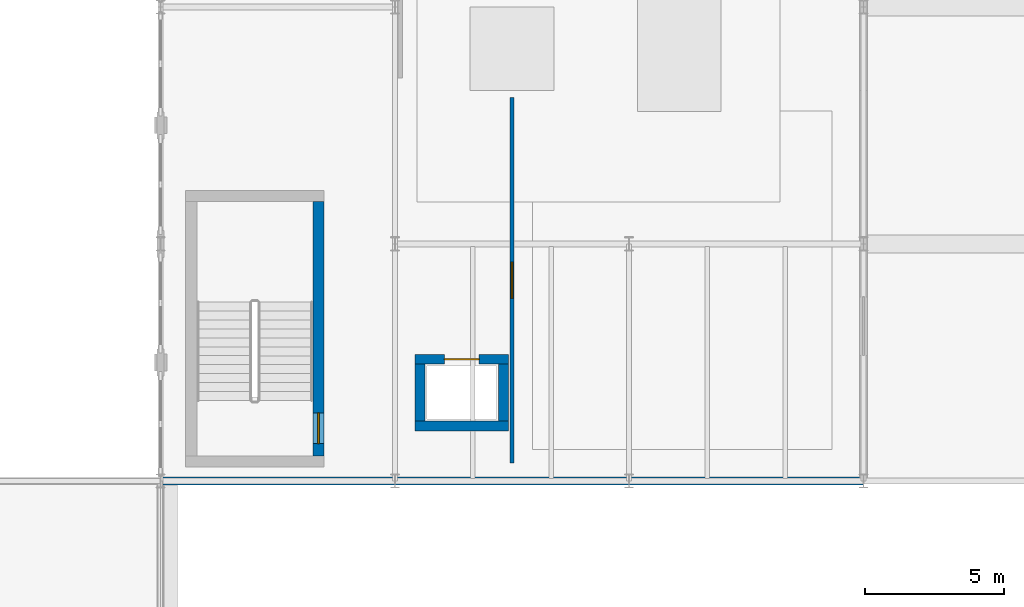
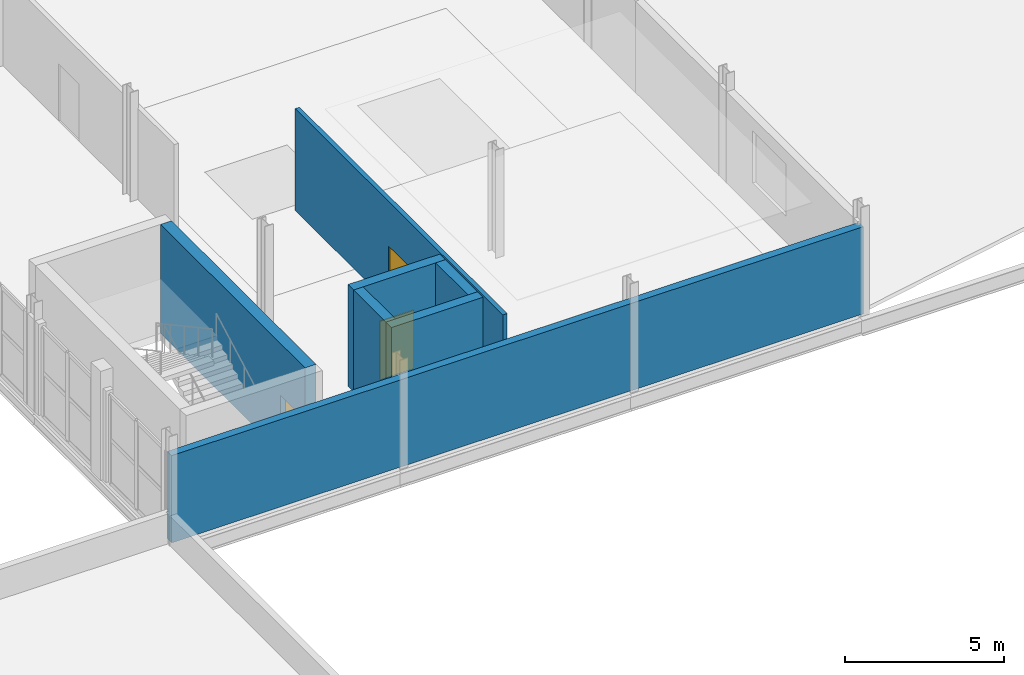
# One storey, part 40 of 58: 7 walls, 3 doors, 3 openings.
"""IFC4 building model written with IfcOpenShell, lengths in metres."""

from ifc_helpers import new_model, si_unit, direction, frame, frame_2d, origin, place, context, subcontext, project, spatial, rectangle, extrude, material, layer, layer_set, type_object, element, fill, save


model = new_model("IFC4")

# Units and contexts
model_context = context("Model", 3, precision=1e-05, world=origin(), true_north=direction((0.0, 1.0)))
body_context = subcontext(model_context, "Body", "Model", "MODEL_VIEW")
ifc_project = project(units=[si_unit("LENGTHUNIT", "METRE"), si_unit("AREAUNIT", "SQUARE_METRE"), si_unit("VOLUMEUNIT", "CUBIC_METRE"), si_unit("PLANEANGLEUNIT", "RADIAN"), si_unit("MASSUNIT", "GRAM", prefix="KILO")], contexts=[model_context])

# Site, building, storey
site_placement = place(None, origin())
site = spatial("IfcSite", under=ifc_project, at=site_placement, CompositionType="ELEMENT")
building_placement = place(site_placement, origin())
building = spatial("IfcBuilding", under=site, at=building_placement, Name="Sefraquen Railside Congress Hotel", CompositionType="ELEMENT")
storey_placement = place(building_placement, frame((0.0, 0.0, 16.199951171875)))
storey = spatial("IfcBuildingStorey", under=building, at=storey_placement, Name="L03", CompositionType="ELEMENT", Elevation=16.199951171875)

# Wall, opening, door
ifc_material_1 = material(Name="Concrete C50/60", Category="concrete")
ifc_layer_1 = layer(ifc_material_1, 0.35009765625)
ifc_layer_set_1 = layer_set([ifc_layer_1], Name="Concrete C50/60")
wall_type_1 = type_object("IfcWallType", Name="TW-CW-350", PredefinedType="SHEAR", material=ifc_layer_set_1)
wall_1_placement = place(storey_placement, frame((112.330078125, 58.364990234375, 0.0), z_axis=(0.0, 0.0, 1.0), x_axis=(1.0, 0.0, 0.0)))
wall_1 = element("IfcWall", 1, at=wall_1_placement, inside=storey, type_object=wall_type_1, Name="Lift SL-01 shaft wall N L03", PredefinedType="SHEAR", context=body_context, shape_type="SweptSolid", body=[
    extrude(rectangle(XDim=3.33984375, YDim=0.35009765625, at=frame_2d((1.669921875, 0.0))), origin(), (0.0, 0.0, 1.0), 3.920166015625),
])
opening_1_placement = place(wall_1_placement, frame((1.044921875, 0.0, 0.0)))
opening_1 = element("IfcOpeningElement", 2, at=opening_1_placement, cuts=wall_1, Name="Opening LD-02", PredefinedType="OPENING", context=body_context, shape_type="SweptSolid", body=[
    extrude(rectangle(XDim=1.25, YDim=2.25, at=frame_2d((0.625, 1.125))), frame((0.0, 0.18505859375, 0.0), z_axis=(0.0, -1.0, 0.0), x_axis=(1.0, 0.0, 0.0)), (0.0, 0.0, 1.0), 0.3701171875),
])
ifc_material_2 = material(Name="Brushed stainless steel", Category="steel")
door_type_1 = type_object("IfcDoorType", Name="TD-LD-02", OperationType="NOTDEFINED", PredefinedType="DOOR", material=ifc_material_2)
door_1_placement = place(opening_1_placement, origin())
door_1 = element("IfcDoor", 3, at=door_1_placement, inside=storey, type_object=door_type_1, Name="Lift landing door SL-01 L03", OperationType="SLIDING_TO_LEFT", OverallHeight=2.25, OverallWidth=1.25, PredefinedType="DOOR", context=body_context, shape_type="SweptSolid", body=[
    extrude(rectangle(XDim=1.25, YDim=2.25, at=frame_2d((0.625, 1.125))), frame((0.0, 0.02490234375, 0.0), z_axis=(0.0, -1.0, 0.0), x_axis=(1.0, 0.0, 0.0)), (0.0, 0.0, 1.0), 0.050048828125),
])
fill(opening_1, door_1)

# Walls
wall_2_placement = place(storey_placement, frame((112.330078125, 55.97509765625, 0.0), z_axis=(0.0, 0.0, 1.0), x_axis=(1.0, 0.0, 0.0)))
element("IfcWall", 4, at=wall_2_placement, inside=storey, type_object=wall_type_1, Name="Lift SL-01 shaft wall S L03", PredefinedType="SHEAR", context=body_context, shape_type="SweptSolid", body=[
    extrude(rectangle(XDim=3.33984375, YDim=0.35009765625, at=frame_2d((1.669921875, 0.0))), origin(), (0.0, 0.0, 1.0), 3.920166015625),
])
for number, where, z_axis, x_axis, name in (
    (5, (112.5048828125, 56.14990234375, 0.0), (0.0, 0.0, 1.0), (0.0, 1.0, 0.0), "Lift SL-01 shaft wall W L03"),
    (6, (115.4951171875, 56.14990234375, 0.0), (0.0, 0.0, 1.0), (0.0, 1.0, 0.0), "Lift SL-01 shaft wall E L03"),
):
    element("IfcWall", number, at=place(storey_placement, frame(where, z_axis=z_axis, x_axis=x_axis)), inside=storey, type_object=wall_type_1, Name=name, PredefinedType="SHEAR", context=body_context, shape_type="SweptSolid", body=[
        extrude(rectangle(XDim=2.0400390625, YDim=0.35009765625, at=frame_2d((1.02001953125, 0.0))), origin(), (0.0, 0.0, 1.0), 3.920166015625),
    ])

# Wall, opening, door
ifc_layer_2 = layer(ifc_material_1, 0.39990234375)
ifc_layer_set_2 = layer_set([ifc_layer_2], Name="Concrete C50/60")
wall_type_2 = type_object("IfcWallType", Name="TW-CW-400", PredefinedType="SHEAR", material=ifc_layer_set_2)
wall_3_placement = place(storey_placement, frame((108.860107421875, 54.89990234375, 0.0), z_axis=(0.0, 0.0, 1.0), x_axis=(0.0, 1.0, 0.0)))
wall_3 = element("IfcWall", 7, at=wall_3_placement, inside=storey, type_object=wall_type_2, Name="Core shear wall ST-M02 E L03", PredefinedType="SHEAR", context=body_context, shape_type="SweptSolid", body=[
    extrude(rectangle(XDim=9.112060546875, YDim=0.39990234375, at=frame_2d((4.55615234375, 0.0))), origin(), (0.0, 0.0, 1.0), 4.199951171875),
])
opening_2_placement = place(wall_3_placement, frame((0.43994140625, 0.0, 0.0)))
opening_2 = element("IfcOpeningElement", 8, at=opening_2_placement, cuts=wall_3, Name="Opening FD-04", PredefinedType="OPENING", context=body_context, shape_type="SweptSolid", body=[
    extrude(rectangle(XDim=1.10009765625, YDim=2.199951171875, at=frame_2d((0.550048828125, 1.10009765625))), frame((0.0, 0.2099609375, 0.0), z_axis=(0.0, -1.0, 0.0), x_axis=(1.0, 0.0, 0.0)), (0.0, 0.0, 1.0), 0.419921875),
])
ifc_material_3 = material(Name="Fire-rated steel", Category="steel")
door_type_2 = type_object("IfcDoorType", Name="TD-FD-04", OperationType="NOTDEFINED", PredefinedType="DOOR", material=ifc_material_3)
door_2_placement = place(opening_2_placement, origin())
door_2 = element("IfcDoor", 9, at=door_2_placement, inside=storey, type_object=door_type_2, Name="Pressurized stair ST-M02 fire door L03", OperationType="SINGLE_SWING_LEFT", OverallHeight=2.199951171875, OverallWidth=1.10009765625, PredefinedType="DOOR", context=body_context, shape_type="SweptSolid", body=[
    extrude(rectangle(XDim=1.10009765625, YDim=2.199951171875, at=frame_2d((0.550048828125, 1.10009765625))), frame((0.0, 0.02490234375, 0.0), z_axis=(0.0, -1.0, 0.0), x_axis=(1.0, 0.0, 0.0)), (0.0, 0.0, 1.0), 0.050048828125),
])
fill(opening_2, door_2)

# Wall
ifc_material_4 = material(Name="Ochre Rabat calcarenite limestone and Concrete C40/50 backing", Category="masonry")
ifc_layer_3 = layer(ifc_material_4, 0.280029296875)
ifc_layer_set_3 = layer_set([ifc_layer_3], Name="Ochre Rabat calcarenite limestone and Concrete C40/50 backing")
wall_type_3 = type_object("IfcWallType", Name="TW-EW-280", PredefinedType="STANDARD", material=ifc_layer_set_3)
wall_4_placement = place(storey_placement, frame((103.199951171875, 54.0, 0.0), z_axis=(0.0, 0.0, 1.0), x_axis=(1.0, 0.0, 0.0)))
element("IfcWall", 10, at=wall_4_placement, inside=storey, type_object=wall_type_3, Name="Meeting Wing L03 south facade wall", PredefinedType="STANDARD", context=body_context, shape_type="SweptSolid", body=[
    extrude(rectangle(XDim=25.199951171875, YDim=0.280029296875, at=frame_2d((12.60009765625, 0.0))), origin(), (0.0, 0.0, 1.0), 3.360107421875),
])

# Wall, opening, door
ifc_material_5 = material(Name="Moisture-resistant gypsum board", Category="gypsum")
ifc_layer_4 = layer(ifc_material_5, 0.159912109375)
ifc_layer_set_4 = layer_set([ifc_layer_4], Name="Moisture-resistant gypsum board")
wall_type_4 = type_object("IfcWallType", Name="TW-PW-160", PredefinedType="PARTITIONING", material=ifc_layer_set_4)
wall_5_placement = place(storey_placement, frame((115.800048828125, 54.64990234375, 0.0), z_axis=(0.0, 0.0, 1.0), x_axis=(0.0, 1.0, 0.0)))
wall_5 = element("IfcWall", 11, at=wall_5_placement, inside=storey, type_object=wall_type_4, Name="Conference Suite 07 enclosure wall", PredefinedType="PARTITIONING", context=body_context, shape_type="SweptSolid", body=[
    extrude(rectangle(XDim=13.10009765625, YDim=0.159912109375, at=frame_2d((6.550048828125, 0.0))), origin(), (0.0, 0.0, 1.0), 3.920166015625),
])
opening_3_placement = place(wall_5_placement, frame((5.89990234375, 0.0, 0.0)))
opening_3 = element("IfcOpeningElement", 12, at=opening_3_placement, cuts=wall_5, Name="Opening MD-02", PredefinedType="OPENING", context=body_context, shape_type="SweptSolid", body=[
    extrude(rectangle(XDim=1.300048828125, YDim=2.199951171875, at=frame_2d((0.64990234375, 1.10009765625))), frame((0.0, 0.08984375, 0.0), z_axis=(0.0, -1.0, 0.0), x_axis=(1.0, 0.0, 0.0)), (0.0, 0.0, 1.0), 0.179931640625),
])
ifc_material_6 = material(Name="Acoustic cedar veneer", Category="wood")
door_type_3 = type_object("IfcDoorType", Name="TD-MD-02", OperationType="NOTDEFINED", PredefinedType="DOOR", material=ifc_material_6)
door_3_placement = place(opening_3_placement, origin())
door_3 = element("IfcDoor", 13, at=door_3_placement, inside=storey, type_object=door_type_3, Name="Conference Suite 07 entrance door", OperationType="SINGLE_SWING_LEFT", OverallHeight=2.199951171875, OverallWidth=1.300048828125, PredefinedType="DOOR", context=body_context, shape_type="SweptSolid", body=[
    extrude(rectangle(XDim=1.300048828125, YDim=2.199951171875, at=frame_2d((0.64990234375, 1.10009765625))), frame((0.0, 0.02490234375, 0.0), z_axis=(0.0, -1.0, 0.0), x_axis=(1.0, 0.0, 0.0)), (0.0, 0.0, 1.0), 0.050048828125),
])
fill(opening_3, door_3)

save(model, "model.ifc")
